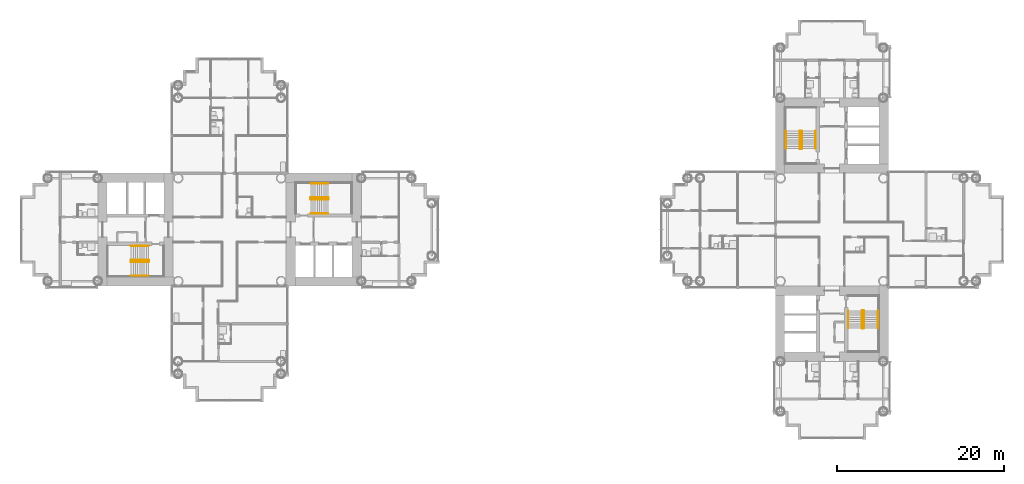
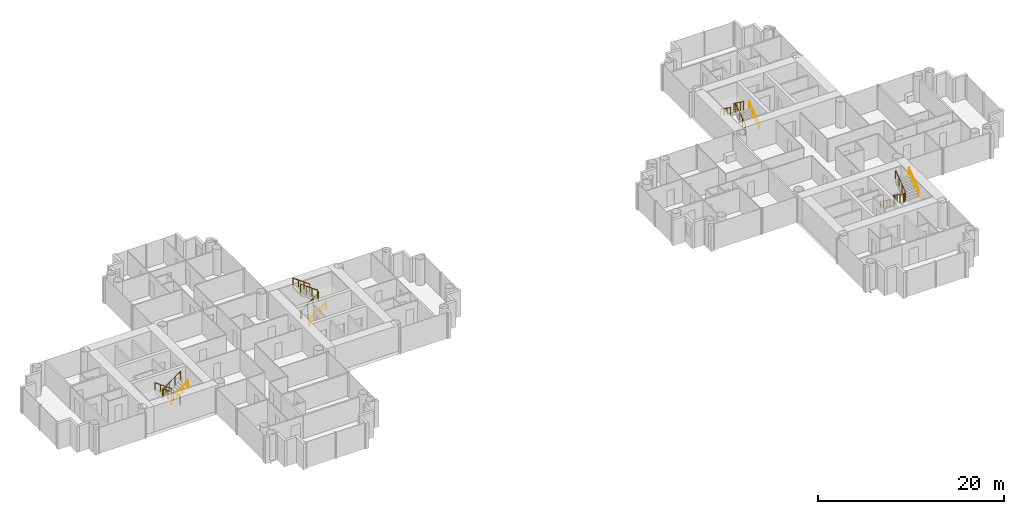
# One storey, part 20 of 21: 12 railings.
"""IFC4 building model written with IfcOpenShell, lengths in metres."""

from ifc_helpers import new_model, si_unit, direction, frame, origin, origin_2d, place, context, subcontext, project, spatial, circle, extrude, material, type_object, element, save


model = new_model("IFC4")

# Units and contexts
model_context = context("Model", 3, precision=1e-05, world=origin(), true_north=direction((0.0, 1.0)))
body_context = subcontext(model_context, "Body", "Model", "MODEL_VIEW")
ifc_project = project(units=[si_unit("LENGTHUNIT", "METRE"), si_unit("AREAUNIT", "SQUARE_METRE"), si_unit("VOLUMEUNIT", "CUBIC_METRE"), si_unit("PLANEANGLEUNIT", "RADIAN"), si_unit("MASSUNIT", "GRAM", prefix="KILO")], contexts=[model_context])

# Site, building, storey
site_placement = place(None, origin())
site = spatial("IfcSite", under=ifc_project, at=site_placement, CompositionType="ELEMENT")
building_placement = place(site_placement, origin())
building = spatial("IfcBuilding", under=site, at=building_placement, Name="Ipe Terrace Towers", CompositionType="ELEMENT")
storey_placement = place(building_placement, frame((0.0, 0.0, 27.89990234375)))
storey = spatial("IfcBuildingStorey", under=building, at=storey_placement, Name="L06", CompositionType="ELEMENT", Elevation=27.89990234375)

# Railings
ifc_material_1 = material(Name="Steel S355", Category="steel")
railing_type_1 = type_object("IfcRailingType", Name="Stair guard 1100", PredefinedType="GUARDRAIL", material=ifc_material_1)
railing_1_placement = place(storey_placement, frame((-26.35009765625, 3.800048828125, 0.0)))
element("IfcRailing", 1, at=railing_1_placement, inside=storey, type_object=railing_type_1, Name="L06 T1-ST1 stair guard 1", PredefinedType="GUARDRAIL", context=body_context, shape_type="SweptSolid", body=[
    extrude(circle(Radius=0.02392578125, at=origin_2d()), frame((0.0, 0.0, 1.076171875), z_axis=(0.0, -1.0, 0.0), x_axis=(1.0, 0.0, 0.0)), (0.0, 0.0, 1.0), 0.150146484375),
    extrude(circle(Radius=0.02392578125, at=origin_2d()), frame((0.0, -0.150146484375, 1.076171875), z_axis=(0.248103849378, -0.246893586699, 0.936743314239), x_axis=(0.705375805398, 0.708833529934, 0.0)), (0.0, 0.0, 1.0), 0.20166015625),
    extrude(circle(Radius=0.02392578125, at=origin_2d()), frame((0.050048828125, -0.199951171875, 1.26513671875), z_axis=(0.809023421508, 0.0, 0.587776406001), x_axis=(0.0, 1.0, 0.0)), (0.0, 0.0, 1.0), 2.571044921875),
    extrude(circle(Radius=0.02392578125, at=origin_2d()), frame((2.130126953125, -0.199951171875, 2.7763671875), z_axis=(0.708833529934, 0.705375805398, 0.0), x_axis=(-0.705375805398, 0.708833529934, 0.0)), (0.0, 0.0, 1.0), 0.070556640625),
    extrude(circle(Radius=0.02392578125, at=origin_2d()), frame((2.18017578125, -0.150146484375, 2.7763671875), z_axis=(0.0, 1.0, 0.0), x_axis=(-1.0, 0.0, 0.0)), (0.0, 0.0, 1.0), 0.150146484375),
    extrude(circle(Radius=0.02392578125, at=origin_2d()), frame((2.18017578125, 0.0, 2.7763671875), z_axis=(-0.248310886586, 0.248310886586, 0.936313733321), x_axis=(-0.707106781187, -0.707106781187, 0.0)), (0.0, 0.0, 1.0), 0.20166015625),
    extrude(circle(Radius=0.02392578125, at=origin_2d()), frame((2.130126953125, 0.050048828125, 2.96484375), z_axis=(-0.809023421508, 0.0, 0.587776406001), x_axis=(0.0, -1.0, 0.0)), (0.0, 0.0, 1.0), 2.571044921875),
    extrude(circle(Radius=0.02099609375, at=origin_2d()), origin(), (0.0, 0.0, 1.0), 1.052001953125),
    extrude(circle(Radius=0.02099609375, at=origin_2d()), frame((0.0, -0.150146484375, 0.0)), (0.0, 0.0, 1.0), 1.052001953125),
    extrude(circle(Radius=0.02099609375, at=origin_2d()), frame((0.050048828125, -0.199951171875, 0.18896484375)), (0.0, 0.0, 1.0), 1.052001953125),
    extrude(circle(Radius=0.02099609375, at=origin_2d()), frame((0.743408203125, -0.199951171875, 0.692626953125)), (0.0, 0.0, 1.0), 1.052001953125),
    extrude(circle(Radius=0.02099609375, at=origin_2d()), frame((1.436767578125, -0.199951171875, 1.196533203125)), (0.0, 0.0, 1.0), 1.052001953125),
    extrude(circle(Radius=0.02099609375, at=origin_2d()), frame((2.130126953125, -0.199951171875, 1.7001953125)), (0.0, 0.0, 1.0), 1.052001953125),
    extrude(circle(Radius=0.02099609375, at=origin_2d()), frame((2.18017578125, -0.150146484375, 1.7001953125)), (0.0, 0.0, 1.0), 1.052001953125),
    extrude(circle(Radius=0.02099609375, at=origin_2d()), frame((2.18017578125, 0.0, 1.7001953125)), (0.0, 0.0, 1.0), 1.052001953125),
    extrude(circle(Radius=0.02099609375, at=origin_2d()), frame((2.130126953125, 0.050048828125, 1.888916015625)), (0.0, 0.0, 1.0), 1.052001953125),
    extrude(circle(Radius=0.02099609375, at=origin_2d()), frame((1.436767578125, 0.050048828125, 2.392578125)), (0.0, 0.0, 1.0), 1.052001953125),
    extrude(circle(Radius=0.02099609375, at=origin_2d()), frame((0.743408203125, 0.050048828125, 2.896484375)), (0.0, 0.0, 1.0), 1.052001953125),
    extrude(circle(Radius=0.02099609375, at=origin_2d()), frame((0.050048828125, 0.050048828125, 3.400146484375)), (0.0, 0.0, 1.0), 1.052001953125),
])
railing_2_placement = place(storey_placement, frame((-45.64990234375, -3.800048828125, 0.0)))
element("IfcRailing", 2, at=railing_2_placement, inside=storey, type_object=railing_type_1, Name="L06 T1-ST2 stair guard 1", PredefinedType="GUARDRAIL", context=body_context, shape_type="SweptSolid", body=[
    extrude(circle(Radius=0.02392578125, at=origin_2d()), frame((0.0, 0.0, 1.076171875), z_axis=(0.0, 1.0, 0.0), x_axis=(-1.0, 0.0, 0.0)), (0.0, 0.0, 1.0), 0.150146484375),
    extrude(circle(Radius=0.02392578125, at=origin_2d()), frame((0.0, 0.150146484375, 1.076171875), z_axis=(-0.248103849378, 0.246893586699, 0.936743314239), x_axis=(-0.705375805398, -0.708833529934, 0.0)), (0.0, 0.0, 1.0), 0.20166015625),
    extrude(circle(Radius=0.02392578125, at=origin_2d()), frame((-0.050048828125, 0.199951171875, 1.26513671875), z_axis=(-0.809023421508, 0.0, 0.587776406001), x_axis=(0.0, -1.0, 0.0)), (0.0, 0.0, 1.0), 2.571044921875),
    extrude(circle(Radius=0.02392578125, at=origin_2d()), frame((-2.130126953125, 0.199951171875, 2.7763671875), z_axis=(-0.708833529934, -0.705375805398, 0.0), x_axis=(0.705375805398, -0.708833529934, 0.0)), (0.0, 0.0, 1.0), 0.070556640625),
    extrude(circle(Radius=0.02392578125, at=origin_2d()), frame((-2.18017578125, 0.150146484375, 2.7763671875), z_axis=(0.0, -1.0, 0.0), x_axis=(1.0, 0.0, 0.0)), (0.0, 0.0, 1.0), 0.150146484375),
    extrude(circle(Radius=0.02392578125, at=origin_2d()), frame((-2.18017578125, 0.0, 2.7763671875), z_axis=(0.248310886586, -0.248310886586, 0.936313733321), x_axis=(0.707106781187, 0.707106781187, 0.0)), (0.0, 0.0, 1.0), 0.20166015625),
    extrude(circle(Radius=0.02392578125, at=origin_2d()), frame((-2.130126953125, -0.050048828125, 2.96484375), z_axis=(0.809023421508, 0.0, 0.587776406001), x_axis=(0.0, 1.0, 0.0)), (0.0, 0.0, 1.0), 2.571044921875),
    extrude(circle(Radius=0.02099609375, at=origin_2d()), origin(), (0.0, 0.0, 1.0), 1.052001953125),
    extrude(circle(Radius=0.02099609375, at=origin_2d()), frame((0.0, 0.150146484375, 0.0)), (0.0, 0.0, 1.0), 1.052001953125),
    extrude(circle(Radius=0.02099609375, at=origin_2d()), frame((-0.050048828125, 0.199951171875, 0.18896484375)), (0.0, 0.0, 1.0), 1.052001953125),
    extrude(circle(Radius=0.02099609375, at=origin_2d()), frame((-0.743408203125, 0.199951171875, 0.692626953125)), (0.0, 0.0, 1.0), 1.052001953125),
    extrude(circle(Radius=0.02099609375, at=origin_2d()), frame((-1.436767578125, 0.199951171875, 1.196533203125)), (0.0, 0.0, 1.0), 1.052001953125),
    extrude(circle(Radius=0.02099609375, at=origin_2d()), frame((-2.130126953125, 0.199951171875, 1.7001953125)), (0.0, 0.0, 1.0), 1.052001953125),
    extrude(circle(Radius=0.02099609375, at=origin_2d()), frame((-2.18017578125, 0.150146484375, 1.7001953125)), (0.0, 0.0, 1.0), 1.052001953125),
    extrude(circle(Radius=0.02099609375, at=origin_2d()), frame((-2.18017578125, 0.0, 1.7001953125)), (0.0, 0.0, 1.0), 1.052001953125),
    extrude(circle(Radius=0.02099609375, at=origin_2d()), frame((-2.130126953125, -0.050048828125, 1.888916015625)), (0.0, 0.0, 1.0), 1.052001953125),
    extrude(circle(Radius=0.02099609375, at=origin_2d()), frame((-1.436767578125, -0.050048828125, 2.392578125)), (0.0, 0.0, 1.0), 1.052001953125),
    extrude(circle(Radius=0.02099609375, at=origin_2d()), frame((-0.743408203125, -0.050048828125, 2.896484375)), (0.0, 0.0, 1.0), 1.052001953125),
    extrude(circle(Radius=0.02099609375, at=origin_2d()), frame((-0.050048828125, -0.050048828125, 3.400146484375)), (0.0, 0.0, 1.0), 1.052001953125),
])
railing_3_placement = place(storey_placement, frame((32.199951171875, 9.64990234375, 0.0)))
element("IfcRailing", 3, at=railing_3_placement, inside=storey, type_object=railing_type_1, Name="L06 T2-ST1 stair guard 1", PredefinedType="GUARDRAIL", context=body_context, shape_type="SweptSolid", body=[
    extrude(circle(Radius=0.02392578125, at=origin_2d()), frame((0.0, 0.0, 1.076171875), z_axis=(1.0, 0.0, 0.0), x_axis=(0.0, 1.0, 0.0)), (0.0, 0.0, 1.0), 0.150146484375),
    extrude(circle(Radius=0.02392578125, at=origin_2d()), frame((0.150146484375, 0.0, 1.076171875), z_axis=(0.246893586699, 0.248103849378, 0.936743314239), x_axis=(-0.708833529934, 0.705375805398, 0.0)), (0.0, 0.0, 1.0), 0.20166015625),
    extrude(circle(Radius=0.02392578125, at=origin_2d()), frame((0.199951171875, 0.050048828125, 1.26513671875), z_axis=(0.0, 0.809023421508, 0.587776406001), x_axis=(-1.0, 0.0, 0.0)), (0.0, 0.0, 1.0), 2.571044921875),
    extrude(circle(Radius=0.02392578125, at=origin_2d()), frame((0.199951171875, 2.130126953125, 2.7763671875), z_axis=(-0.705375805398, 0.708833529934, 0.0), x_axis=(-0.708833529934, -0.705375805398, 0.0)), (0.0, 0.0, 1.0), 0.070556640625),
    extrude(circle(Radius=0.02392578125, at=origin_2d()), frame((0.150146484375, 2.18017578125, 2.7763671875), z_axis=(-1.0, 0.0, 0.0), x_axis=(0.0, -1.0, 0.0)), (0.0, 0.0, 1.0), 0.150146484375),
    extrude(circle(Radius=0.02392578125, at=origin_2d()), frame((0.0, 2.18017578125, 2.7763671875), z_axis=(-0.248310886586, -0.248310886586, 0.936313733321), x_axis=(0.707106781187, -0.707106781187, 0.0)), (0.0, 0.0, 1.0), 0.20166015625),
    extrude(circle(Radius=0.02392578125, at=origin_2d()), frame((-0.050048828125, 2.130126953125, 2.96484375), z_axis=(0.0, -0.809023421508, 0.587776406001), x_axis=(1.0, 0.0, 0.0)), (0.0, 0.0, 1.0), 2.571044921875),
    extrude(circle(Radius=0.02099609375, at=origin_2d()), origin(), (0.0, 0.0, 1.0), 1.052001953125),
    extrude(circle(Radius=0.02099609375, at=origin_2d()), frame((0.150146484375, 0.0, 0.0)), (0.0, 0.0, 1.0), 1.052001953125),
    extrude(circle(Radius=0.02099609375, at=origin_2d()), frame((0.199951171875, 0.050048828125, 0.18896484375)), (0.0, 0.0, 1.0), 1.052001953125),
    extrude(circle(Radius=0.02099609375, at=origin_2d()), frame((0.199951171875, 0.743408203125, 0.692626953125)), (0.0, 0.0, 1.0), 1.052001953125),
    extrude(circle(Radius=0.02099609375, at=origin_2d()), frame((0.199951171875, 1.436767578125, 1.196533203125)), (0.0, 0.0, 1.0), 1.052001953125),
    extrude(circle(Radius=0.02099609375, at=origin_2d()), frame((0.199951171875, 2.130126953125, 1.7001953125)), (0.0, 0.0, 1.0), 1.052001953125),
    extrude(circle(Radius=0.02099609375, at=origin_2d()), frame((0.150146484375, 2.18017578125, 1.7001953125)), (0.0, 0.0, 1.0), 1.052001953125),
    extrude(circle(Radius=0.02099609375, at=origin_2d()), frame((0.0, 2.18017578125, 1.7001953125)), (0.0, 0.0, 1.0), 1.052001953125),
    extrude(circle(Radius=0.02099609375, at=origin_2d()), frame((-0.050048828125, 2.130126953125, 1.888916015625)), (0.0, 0.0, 1.0), 1.052001953125),
    extrude(circle(Radius=0.02099609375, at=origin_2d()), frame((-0.050048828125, 1.436767578125, 2.392578125)), (0.0, 0.0, 1.0), 1.052001953125),
    extrude(circle(Radius=0.02099609375, at=origin_2d()), frame((-0.050048828125, 0.743408203125, 2.896484375)), (0.0, 0.0, 1.0), 1.052001953125),
    extrude(circle(Radius=0.02099609375, at=origin_2d()), frame((-0.050048828125, 0.050048828125, 3.400146484375)), (0.0, 0.0, 1.0), 1.052001953125),
])
railing_4_placement = place(storey_placement, frame((39.800048828125, -9.64990234375, 0.0)))
element("IfcRailing", 4, at=railing_4_placement, inside=storey, type_object=railing_type_1, Name="L06 T2-ST2 stair guard 1", PredefinedType="GUARDRAIL", context=body_context, shape_type="SweptSolid", body=[
    extrude(circle(Radius=0.02392578125, at=origin_2d()), frame((0.0, 0.0, 1.076171875), z_axis=(-1.0, 0.0, 0.0), x_axis=(0.0, -1.0, 0.0)), (0.0, 0.0, 1.0), 0.150146484375),
    extrude(circle(Radius=0.02392578125, at=origin_2d()), frame((-0.150146484375, 0.0, 1.076171875), z_axis=(-0.246893586699, -0.248103849378, 0.936743314239), x_axis=(0.708833529934, -0.705375805398, 0.0)), (0.0, 0.0, 1.0), 0.20166015625),
    extrude(circle(Radius=0.02392578125, at=origin_2d()), frame((-0.199951171875, -0.050048828125, 1.26513671875), z_axis=(0.0, -0.809023421508, 0.587776406001), x_axis=(1.0, 0.0, 0.0)), (0.0, 0.0, 1.0), 2.571044921875),
    extrude(circle(Radius=0.02392578125, at=origin_2d()), frame((-0.199951171875, -2.130126953125, 2.7763671875), z_axis=(0.705375805398, -0.708833529934, 0.0), x_axis=(0.708833529934, 0.705375805398, 0.0)), (0.0, 0.0, 1.0), 0.070556640625),
    extrude(circle(Radius=0.02392578125, at=origin_2d()), frame((-0.150146484375, -2.18017578125, 2.7763671875), z_axis=(1.0, 0.0, 0.0), x_axis=(0.0, 1.0, 0.0)), (0.0, 0.0, 1.0), 0.150146484375),
    extrude(circle(Radius=0.02392578125, at=origin_2d()), frame((0.0, -2.18017578125, 2.7763671875), z_axis=(0.248310886586, 0.248310886586, 0.936313733321), x_axis=(-0.707106781187, 0.707106781187, 0.0)), (0.0, 0.0, 1.0), 0.20166015625),
    extrude(circle(Radius=0.02392578125, at=origin_2d()), frame((0.050048828125, -2.130126953125, 2.96484375), z_axis=(0.0, 0.809023421508, 0.587776406001), x_axis=(-1.0, 0.0, 0.0)), (0.0, 0.0, 1.0), 2.571044921875),
    extrude(circle(Radius=0.02099609375, at=origin_2d()), origin(), (0.0, 0.0, 1.0), 1.052001953125),
    extrude(circle(Radius=0.02099609375, at=origin_2d()), frame((-0.150146484375, 0.0, 0.0)), (0.0, 0.0, 1.0), 1.052001953125),
    extrude(circle(Radius=0.02099609375, at=origin_2d()), frame((-0.199951171875, -0.050048828125, 0.18896484375)), (0.0, 0.0, 1.0), 1.052001953125),
    extrude(circle(Radius=0.02099609375, at=origin_2d()), frame((-0.199951171875, -0.743408203125, 0.692626953125)), (0.0, 0.0, 1.0), 1.052001953125),
    extrude(circle(Radius=0.02099609375, at=origin_2d()), frame((-0.199951171875, -1.436767578125, 1.196533203125)), (0.0, 0.0, 1.0), 1.052001953125),
    extrude(circle(Radius=0.02099609375, at=origin_2d()), frame((-0.199951171875, -2.130126953125, 1.7001953125)), (0.0, 0.0, 1.0), 1.052001953125),
    extrude(circle(Radius=0.02099609375, at=origin_2d()), frame((-0.150146484375, -2.18017578125, 1.7001953125)), (0.0, 0.0, 1.0), 1.052001953125),
    extrude(circle(Radius=0.02099609375, at=origin_2d()), frame((0.0, -2.18017578125, 1.7001953125)), (0.0, 0.0, 1.0), 1.052001953125),
    extrude(circle(Radius=0.02099609375, at=origin_2d()), frame((0.050048828125, -2.130126953125, 1.888916015625)), (0.0, 0.0, 1.0), 1.052001953125),
    extrude(circle(Radius=0.02099609375, at=origin_2d()), frame((0.050048828125, -1.436767578125, 2.392578125)), (0.0, 0.0, 1.0), 1.052001953125),
    extrude(circle(Radius=0.02099609375, at=origin_2d()), frame((0.050048828125, -0.743408203125, 2.896484375)), (0.0, 0.0, 1.0), 1.052001953125),
    extrude(circle(Radius=0.02099609375, at=origin_2d()), frame((0.050048828125, -0.050048828125, 3.400146484375)), (0.0, 0.0, 1.0), 1.052001953125),
])
ifc_material_2 = material(Name="Stainless steel grade 304", Category="steel")
railing_type_2 = type_object("IfcRailingType", Name="Stair handrail 900", PredefinedType="HANDRAIL", material=ifc_material_2)
railing_5_placement = place(storey_placement, frame((-26.300048828125, 1.949951171875, 0.18896484375)))
element("IfcRailing", 5, at=railing_5_placement, inside=storey, type_object=railing_type_2, Name="L06 T1-ST1 stair handrail 1", PredefinedType="HANDRAIL", context=body_context, shape_type="SweptSolid", body=[
    extrude(circle(Radius=0.02392578125, at=origin_2d()), frame((0.0, 0.0, 0.8759765625), z_axis=(0.809023421508, 0.0, 0.587776406001), x_axis=(0.0, 1.0, 0.0)), (0.0, 0.0, 1.0), 2.571044921875),
    extrude(circle(Radius=0.02099609375, at=origin_2d()), origin(), (0.0, 0.0, 1.0), 0.851806640625),
    extrude(circle(Radius=0.02099609375, at=origin_2d()), frame((0.693359375, 0.0, 0.503662109375)), (0.0, 0.0, 1.0), 0.851806640625),
    extrude(circle(Radius=0.02099609375, at=origin_2d()), frame((1.38671875, 0.0, 1.007568359375)), (0.0, 0.0, 1.0), 0.851806640625),
    extrude(circle(Radius=0.02099609375, at=origin_2d()), frame((2.080078125, 0.0, 1.51123046875)), (0.0, 0.0, 1.0), 0.851806640625),
])
for number, where, name in (
    (6, (-24.219970703125, 5.5, 1.888916015625), "L06 T1-ST1 stair handrail 2"),
    (7, (-45.699951171875, -1.949951171875, 0.18896484375), "L06 T1-ST2 stair handrail 1"),
):
    element("IfcRailing", number, at=place(storey_placement, frame(where)), inside=storey, type_object=railing_type_2, Name=name, PredefinedType="HANDRAIL", context=body_context, shape_type="SweptSolid", body=[
        extrude(circle(Radius=0.02392578125, at=origin_2d()), frame((0.0, 0.0, 0.8759765625), z_axis=(-0.809023421508, 0.0, 0.587776406001), x_axis=(0.0, -1.0, 0.0)), (0.0, 0.0, 1.0), 2.571044921875),
        extrude(circle(Radius=0.02099609375, at=origin_2d()), origin(), (0.0, 0.0, 1.0), 0.851806640625),
        extrude(circle(Radius=0.02099609375, at=origin_2d()), frame((-0.693359375, 0.0, 0.503662109375)), (0.0, 0.0, 1.0), 0.851806640625),
        extrude(circle(Radius=0.02099609375, at=origin_2d()), frame((-1.38671875, 0.0, 1.007568359375)), (0.0, 0.0, 1.0), 0.851806640625),
        extrude(circle(Radius=0.02099609375, at=origin_2d()), frame((-2.080078125, 0.0, 1.51123046875)), (0.0, 0.0, 1.0), 0.851806640625),
    ])
railing_6_placement = place(storey_placement, frame((-47.780029296875, -5.5, 1.888916015625)))
element("IfcRailing", 8, at=railing_6_placement, inside=storey, type_object=railing_type_2, Name="L06 T1-ST2 stair handrail 2", PredefinedType="HANDRAIL", context=body_context, shape_type="SweptSolid", body=[
    extrude(circle(Radius=0.02392578125, at=origin_2d()), frame((0.0, 0.0, 0.8759765625), z_axis=(0.809023421508, 0.0, 0.587776406001), x_axis=(0.0, 1.0, 0.0)), (0.0, 0.0, 1.0), 2.571044921875),
    extrude(circle(Radius=0.02099609375, at=origin_2d()), origin(), (0.0, 0.0, 1.0), 0.851806640625),
    extrude(circle(Radius=0.02099609375, at=origin_2d()), frame((0.693359375, 0.0, 0.503662109375)), (0.0, 0.0, 1.0), 0.851806640625),
    extrude(circle(Radius=0.02099609375, at=origin_2d()), frame((1.38671875, 0.0, 1.007568359375)), (0.0, 0.0, 1.0), 0.851806640625),
    extrude(circle(Radius=0.02099609375, at=origin_2d()), frame((2.080078125, 0.0, 1.51123046875)), (0.0, 0.0, 1.0), 0.851806640625),
])
railing_7_placement = place(storey_placement, frame((34.050048828125, 9.699951171875, 0.18896484375)))
element("IfcRailing", 9, at=railing_7_placement, inside=storey, type_object=railing_type_2, Name="L06 T2-ST1 stair handrail 1", PredefinedType="HANDRAIL", context=body_context, shape_type="SweptSolid", body=[
    extrude(circle(Radius=0.02392578125, at=origin_2d()), frame((0.0, 0.0, 0.8759765625), z_axis=(0.0, 0.809023421508, 0.587776406001), x_axis=(-1.0, 0.0, 0.0)), (0.0, 0.0, 1.0), 2.571044921875),
    extrude(circle(Radius=0.02099609375, at=origin_2d()), origin(), (0.0, 0.0, 1.0), 0.851806640625),
    extrude(circle(Radius=0.02099609375, at=origin_2d()), frame((0.0, 0.693359375, 0.503662109375)), (0.0, 0.0, 1.0), 0.851806640625),
    extrude(circle(Radius=0.02099609375, at=origin_2d()), frame((0.0, 1.38671875, 1.007568359375)), (0.0, 0.0, 1.0), 0.851806640625),
    extrude(circle(Radius=0.02099609375, at=origin_2d()), frame((0.0, 2.080078125, 1.51123046875)), (0.0, 0.0, 1.0), 0.851806640625),
])
for number, where, name in (
    (10, (30.5, 11.780029296875, 1.888916015625), "L06 T2-ST1 stair handrail 2"),
    (11, (37.949951171875, -9.699951171875, 0.18896484375), "L06 T2-ST2 stair handrail 1"),
):
    element("IfcRailing", number, at=place(storey_placement, frame(where)), inside=storey, type_object=railing_type_2, Name=name, PredefinedType="HANDRAIL", context=body_context, shape_type="SweptSolid", body=[
        extrude(circle(Radius=0.02392578125, at=origin_2d()), frame((0.0, 0.0, 0.8759765625), z_axis=(0.0, -0.809023421508, 0.587776406001), x_axis=(1.0, 0.0, 0.0)), (0.0, 0.0, 1.0), 2.571044921875),
        extrude(circle(Radius=0.02099609375, at=origin_2d()), origin(), (0.0, 0.0, 1.0), 0.851806640625),
        extrude(circle(Radius=0.02099609375, at=origin_2d()), frame((0.0, -0.693359375, 0.503662109375)), (0.0, 0.0, 1.0), 0.851806640625),
        extrude(circle(Radius=0.02099609375, at=origin_2d()), frame((0.0, -1.38671875, 1.007568359375)), (0.0, 0.0, 1.0), 0.851806640625),
        extrude(circle(Radius=0.02099609375, at=origin_2d()), frame((0.0, -2.080078125, 1.51123046875)), (0.0, 0.0, 1.0), 0.851806640625),
    ])
railing_8_placement = place(storey_placement, frame((41.5, -11.780029296875, 1.888916015625)))
element("IfcRailing", 12, at=railing_8_placement, inside=storey, type_object=railing_type_2, Name="L06 T2-ST2 stair handrail 2", PredefinedType="HANDRAIL", context=body_context, shape_type="SweptSolid", body=[
    extrude(circle(Radius=0.02392578125, at=origin_2d()), frame((0.0, 0.0, 0.8759765625), z_axis=(0.0, 0.809023421508, 0.587776406001), x_axis=(-1.0, 0.0, 0.0)), (0.0, 0.0, 1.0), 2.571044921875),
    extrude(circle(Radius=0.02099609375, at=origin_2d()), origin(), (0.0, 0.0, 1.0), 0.851806640625),
    extrude(circle(Radius=0.02099609375, at=origin_2d()), frame((0.0, 0.693359375, 0.503662109375)), (0.0, 0.0, 1.0), 0.851806640625),
    extrude(circle(Radius=0.02099609375, at=origin_2d()), frame((0.0, 1.38671875, 1.007568359375)), (0.0, 0.0, 1.0), 0.851806640625),
    extrude(circle(Radius=0.02099609375, at=origin_2d()), frame((0.0, 2.080078125, 1.51123046875)), (0.0, 0.0, 1.0), 0.851806640625),
])

save(model, "model.ifc")
